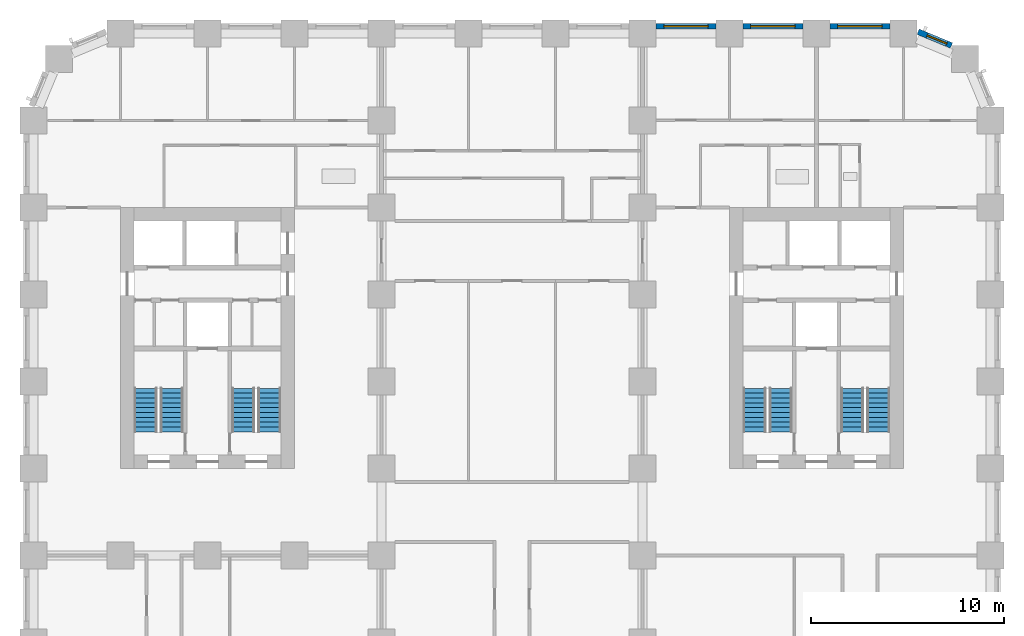
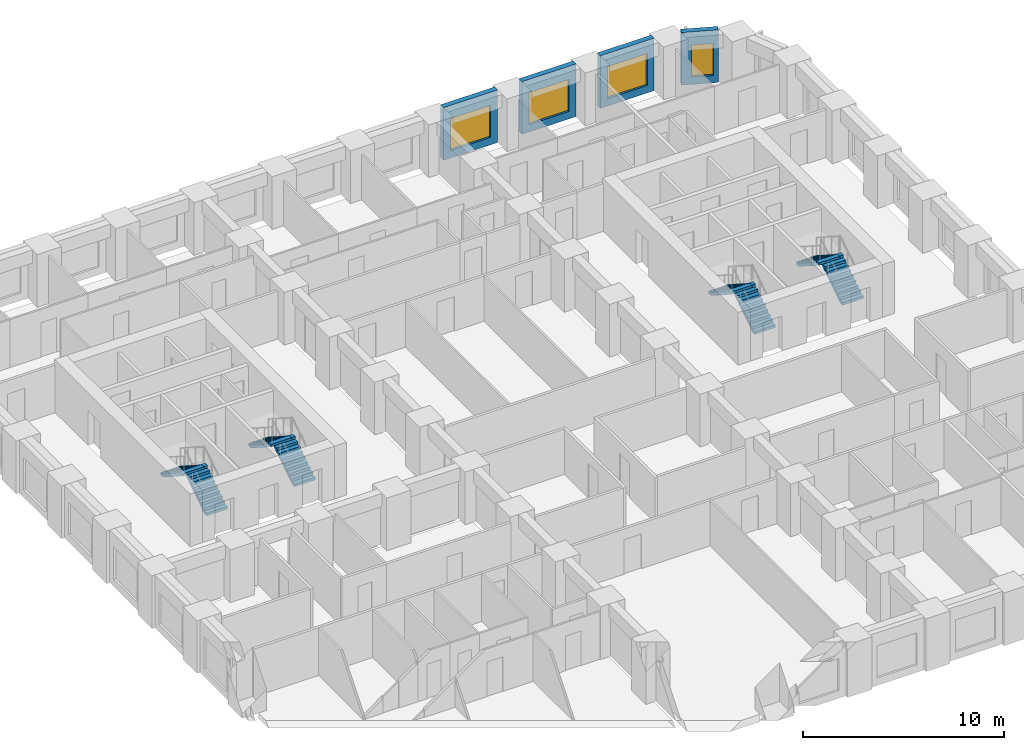
# One storey, part 10 of 13: 8 stair flights, 4 walls, 4 windows, 4 openings, 4 elements without a shape of their own.
"""IFC4 building model written with IfcOpenShell, lengths in metres."""

from ifc_helpers import new_model, si_unit, direction, frame, frame_2d, origin, place, context, subcontext, project, spatial, polyline, rectangle, outline, extrude, material, layer, layer_set, type_object, element, fill, aggregate, save


model = new_model("IFC4")

# Units and contexts
model_context = context("Model", 3, precision=1e-05, world=origin(), true_north=direction((0.0, 1.0)))
body_context = subcontext(model_context, "Body", "Model", "MODEL_VIEW")
ifc_project = project(units=[si_unit("LENGTHUNIT", "METRE"), si_unit("AREAUNIT", "SQUARE_METRE"), si_unit("VOLUMEUNIT", "CUBIC_METRE"), si_unit("PLANEANGLEUNIT", "RADIAN"), si_unit("MASSUNIT", "GRAM", prefix="KILO")], contexts=[model_context])

# Site, building, storey
site_placement = place(None, origin())
site = spatial("IfcSite", under=ifc_project, at=site_placement, CompositionType="ELEMENT")
building_placement = place(site_placement, origin())
building = spatial("IfcBuilding", under=site, at=building_placement, Name="Girih Gate Residences", CompositionType="ELEMENT")
storey_placement = place(building_placement, frame((0.0, 0.0, 46.39990234375)))
storey = spatial("IfcBuildingStorey", under=building, at=storey_placement, Name="L11", CompositionType="ELEMENT", Elevation=46.39990234375)

# Wall, opening, window
ifc_material_1 = material(Name="Precast concrete C50/60", Category="concrete")
ifc_layer_1 = layer(ifc_material_1, 0.080078125, Name="Outer leaf")
ifc_material_2 = material(Name="Rigid PIR insulation")
ifc_layer_2 = layer(ifc_material_2, 0.14990234375, Name="Insulation")
ifc_material_3 = material(Name="Precast concrete C40/50", Category="concrete")
ifc_layer_3 = layer(ifc_material_3, 0.070068359375, Name="Inner leaf")
ifc_layer_set = layer_set([ifc_layer_1, ifc_layer_2, ifc_layer_3], Name="Precast concrete C50/60 external wall 300")
wall_type = type_object("IfcWallType", Name="Precast concrete C50/60 external wall 300", PredefinedType="SOLIDWALL", material=ifc_layer_set)
wall_1_placement = place(storey_placement, frame((45.75732421875, 49.59228515625, 0.0), z_axis=(0.0, 0.0, 1.0), x_axis=(0.923857286003, -0.382737135771, 0.0)))
wall_1 = element("IfcWall", 1, at=wall_1_placement, inside=storey, type_object=wall_type, Name="External wall NE0482_0482.0", PredefinedType="SOLIDWALL", context=body_context, shape_type="SweptSolid", body=[
    extrude(rectangle(XDim=1.865234375, YDim=0.300048828125, at=frame_2d((0.9326171875, 0.0))), origin(), (0.0, 0.0, 1.0), 3.2001953125),
])
opening_1_placement = place(wall_1_placement, frame((0.507568359375, 0.0, 0.449951171875)))
opening_1 = element("IfcOpeningElement", 2, at=opening_1_placement, cuts=wall_1, Name="Opening W-2C", PredefinedType="OPENING", context=body_context, shape_type="SweptSolid", body=[
    extrude(rectangle(XDim=1.10009765625, YDim=1.949951171875, at=frame_2d((0.550048828125, 0.97509765625))), frame((0.0, 0.159912109375, 0.0), z_axis=(0.0, -1.0, 0.0), x_axis=(1.0, 0.0, 0.0)), (0.0, 0.0, 1.0), 0.320068359375),
])
ifc_material_4 = material(Name="Double glazing in aluminium frame", Category="aluminium")
window_type_1 = type_object("IfcWindowType", Name="Window W-2C 1100x1950", PartitioningType="SINGLE_PANEL", PredefinedType="WINDOW", material=ifc_material_4)
window_1_placement = place(opening_1_placement, origin())
window_1 = element("IfcWindow", 3, at=window_1_placement, inside=storey, type_object=window_type_1, Name="Window W-2C NE0482_0482.0", OverallHeight=1.949951171875, OverallWidth=1.10009765625, PartitioningType="SINGLE_PANEL", PredefinedType="WINDOW", context=body_context, shape_type="SweptSolid", body=[
    extrude(rectangle(XDim=1.10009765625, YDim=1.949951171875, at=frame_2d((0.550048828125, 0.97509765625))), frame((0.0, 0.030029296875, 0.0), z_axis=(0.0, -1.0, 0.0), x_axis=(1.0, 0.0, 0.0)), (0.0, 0.0, 1.0), 0.06005859375),
])
fill(opening_1, window_1)

wall_2_placement = place(storey_placement, frame((41.199951171875, 49.875, 0.0), z_axis=(0.0, 0.0, 1.0), x_axis=(1.0, 0.0, 0.0)))
wall_2 = element("IfcWall", 4, at=wall_2_placement, inside=storey, type_object=wall_type, Name="External wall N0450_0495.0", PredefinedType="SOLIDWALL", context=body_context, shape_type="SweptSolid", body=[
    extrude(rectangle(XDim=3.10009765625, YDim=0.300048828125, at=frame_2d((1.550048828125, 0.0))), origin(), (0.0, 0.0, 1.0), 3.2001953125),
])
opening_2_placement = place(wall_2_placement, frame((0.39990234375, 0.0, 0.449951171875)))
opening_2 = element("IfcOpeningElement", 5, at=opening_2_placement, cuts=wall_2, Name="Opening W-1", PredefinedType="OPENING", context=body_context, shape_type="SweptSolid", body=[
    extrude(rectangle(XDim=2.300048828125, YDim=1.949951171875, at=frame_2d((1.14990234375, 0.97509765625))), frame((0.0, 0.159912109375, 0.0), z_axis=(0.0, -1.0, 0.0), x_axis=(1.0, 0.0, 0.0)), (0.0, 0.0, 1.0), 0.320068359375),
])
window_type_2 = type_object("IfcWindowType", Name="Window W-1 2300x1950", PartitioningType="SINGLE_PANEL", PredefinedType="WINDOW", material=ifc_material_4)
window_2_placement = place(opening_2_placement, origin())
window_2 = element("IfcWindow", 6, at=window_2_placement, inside=storey, type_object=window_type_2, Name="Window W-1 N0450_0495.0", OverallHeight=1.949951171875, OverallWidth=2.300048828125, PartitioningType="SINGLE_PANEL", PredefinedType="WINDOW", context=body_context, shape_type="SweptSolid", body=[
    extrude(rectangle(XDim=2.300048828125, YDim=1.949951171875, at=frame_2d((1.14990234375, 0.97509765625))), frame((0.0, 0.030029296875, 0.0), z_axis=(0.0, -1.0, 0.0), x_axis=(1.0, 0.0, 0.0)), (0.0, 0.0, 1.0), 0.06005859375),
])
fill(opening_2, window_2)

wall_3_placement = place(storey_placement, frame((36.699951171875, 49.875, 0.0), z_axis=(0.0, 0.0, 1.0), x_axis=(1.0, 0.0, 0.0)))
wall_3 = element("IfcWall", 7, at=wall_3_placement, inside=storey, type_object=wall_type, Name="External wall N0450_0495.1", PredefinedType="SOLIDWALL", context=body_context, shape_type="SweptSolid", body=[
    extrude(rectangle(XDim=3.10009765625, YDim=0.300048828125, at=frame_2d((1.550048828125, 0.0))), origin(), (0.0, 0.0, 1.0), 3.2001953125),
])
opening_3_placement = place(wall_3_placement, frame((0.39990234375, 0.0, 0.449951171875)))
opening_3 = element("IfcOpeningElement", 8, at=opening_3_placement, cuts=wall_3, Name="Opening W-1", PredefinedType="OPENING", context=body_context, shape_type="SweptSolid", body=[
    extrude(rectangle(XDim=2.300048828125, YDim=1.949951171875, at=frame_2d((1.14990234375, 0.97509765625))), frame((0.0, 0.159912109375, 0.0), z_axis=(0.0, -1.0, 0.0), x_axis=(1.0, 0.0, 0.0)), (0.0, 0.0, 1.0), 0.320068359375),
])
window_3_placement = place(opening_3_placement, origin())
window_3 = element("IfcWindow", 9, at=window_3_placement, inside=storey, type_object=window_type_2, Name="Window W-1 N0450_0495.1", OverallHeight=1.949951171875, OverallWidth=2.300048828125, PartitioningType="SINGLE_PANEL", PredefinedType="WINDOW", context=body_context, shape_type="SweptSolid", body=[
    extrude(rectangle(XDim=2.300048828125, YDim=1.949951171875, at=frame_2d((1.14990234375, 0.97509765625))), frame((0.0, 0.030029296875, 0.0), z_axis=(0.0, -1.0, 0.0), x_axis=(1.0, 0.0, 0.0)), (0.0, 0.0, 1.0), 0.06005859375),
])
fill(opening_3, window_3)

wall_4_placement = place(storey_placement, frame((32.199951171875, 49.875, 0.0), z_axis=(0.0, 0.0, 1.0), x_axis=(1.0, 0.0, 0.0)))
wall_4 = element("IfcWall", 10, at=wall_4_placement, inside=storey, type_object=wall_type, Name="External wall N0450_0495.2", PredefinedType="SOLIDWALL", context=body_context, shape_type="SweptSolid", body=[
    extrude(rectangle(XDim=3.10009765625, YDim=0.300048828125, at=frame_2d((1.550048828125, 0.0))), origin(), (0.0, 0.0, 1.0), 3.2001953125),
])
opening_4_placement = place(wall_4_placement, frame((0.39990234375, 0.0, 0.449951171875)))
opening_4 = element("IfcOpeningElement", 11, at=opening_4_placement, cuts=wall_4, Name="Opening W-1", PredefinedType="OPENING", context=body_context, shape_type="SweptSolid", body=[
    extrude(rectangle(XDim=2.300048828125, YDim=1.949951171875, at=frame_2d((1.14990234375, 0.97509765625))), frame((0.0, 0.159912109375, 0.0), z_axis=(0.0, -1.0, 0.0), x_axis=(1.0, 0.0, 0.0)), (0.0, 0.0, 1.0), 0.320068359375),
])
window_4_placement = place(opening_4_placement, origin())
window_4 = element("IfcWindow", 12, at=window_4_placement, inside=storey, type_object=window_type_2, Name="Window W-1 N0450_0495.2", OverallHeight=1.949951171875, OverallWidth=2.300048828125, PartitioningType="SINGLE_PANEL", PredefinedType="WINDOW", context=body_context, shape_type="SweptSolid", body=[
    extrude(rectangle(XDim=2.300048828125, YDim=1.949951171875, at=frame_2d((1.14990234375, 0.97509765625))), frame((0.0, 0.030029296875, 0.0), z_axis=(0.0, -1.0, 0.0), x_axis=(1.0, 0.0, 0.0)), (0.0, 0.0, 1.0), 0.06005859375),
])
fill(opening_4, window_4)

# Stair, stair flights
ifc_material_5 = material(Name="Concrete C40/50", Category="concrete")
stair_type = type_object("IfcStairType", Name="Exit stair", PredefinedType="HALF_TURN_STAIR", material=ifc_material_5)
stair_1_placement = place(storey_placement, origin())
stair_1 = element("IfcStair", 13, at=stair_1_placement, inside=storey, type_object=stair_type, Name="L11 Exit Stair ST-W1", PredefinedType="HALF_TURN_STAIR")
stair_flight_type = type_object("IfcStairFlightType", Name="Stair flight 1200", PredefinedType="STRAIGHT", material=ifc_material_5)
stair_flight_1_placement = place(storey_placement, frame((7.14990234375, 28.89990234375, 0.0), z_axis=(0.0, 0.0, 1.0), x_axis=(0.0, 1.0, 0.0)))
stair_flight_1 = element("IfcStairFlight", 14, at=stair_flight_1_placement, type_object=stair_flight_type, Name="ST-W1 flight 1", NumberOfRisers=10, NumberOfTreads=9, PredefinedType="STRAIGHT", RiserHeight=0.16, TreadLength=0.25, context=body_context, shape_type="SweptSolid", body=[
    extrude(outline(polyline([(0.0, 0.0), (0.0, 0.159912109375), (0.25, 0.159912109375), (0.25, 0.320068359375), (0.5, 0.320068359375), (0.5, 0.47998046875), (0.75, 0.47998046875), (0.75, 0.639892578125), (1.0, 0.639892578125), (1.0, 0.800048828125), (1.25, 0.800048828125), (1.25, 0.9599609375), (1.5, 0.9599609375), (1.5, 1.1201171875), (1.75, 1.1201171875), (1.75, 1.280029296875), (2.0, 1.280029296875), (2.0, 1.43994140625), (2.25, 1.43994140625), (2.25, 1.60009765625), (2.25, 1.29736328125), (0.222900390625, 0.0), (0.0, 0.0)])), frame((0.0, 0.60009765625, 0.0), z_axis=(0.0, -1.0, 0.0), x_axis=(1.0, 0.0, 0.0)), (0.0, 0.0, 1.0), 1.199951171875),
])
stair_flight_2_placement = place(storey_placement, frame((5.800048828125, 31.14990234375, 1.60009765625), z_axis=(0.0, 0.0, 1.0), x_axis=(0.0, -1.0, 0.0)))
stair_flight_2 = element("IfcStairFlight", 15, at=stair_flight_2_placement, type_object=stair_flight_type, Name="ST-W1 flight 2", NumberOfRisers=10, NumberOfTreads=9, PredefinedType="STRAIGHT", RiserHeight=0.16, TreadLength=0.25, context=body_context, shape_type="SweptSolid", body=[
    extrude(outline(polyline([(0.0, 0.0), (0.0, 0.159912109375), (0.25, 0.159912109375), (0.25, 0.320068359375), (0.5, 0.320068359375), (0.5, 0.47998046875), (0.75, 0.47998046875), (0.75, 0.639892578125), (1.0, 0.639892578125), (1.0, 0.800048828125), (1.25, 0.800048828125), (1.25, 0.9599609375), (1.5, 0.9599609375), (1.5, 1.1201171875), (1.75, 1.1201171875), (1.75, 1.280029296875), (2.0, 1.280029296875), (2.0, 1.43994140625), (2.25, 1.43994140625), (2.25, 1.60009765625), (2.25, 1.29736328125), (0.222900390625, 0.0), (0.0, 0.0)])), frame((0.0, 0.60009765625, 0.0), z_axis=(0.0, -1.0, 0.0), x_axis=(1.0, 0.0, 0.0)), (0.0, 0.0, 1.0), 1.199951171875),
])
aggregate(stair_1, [stair_flight_1, stair_flight_2])

stair_2_placement = place(storey_placement, origin())
stair_2 = element("IfcStair", 16, at=stair_2_placement, inside=storey, type_object=stair_type, Name="L11 Exit Stair ST-W2", PredefinedType="HALF_TURN_STAIR")
stair_flight_3_placement = place(storey_placement, frame((12.199951171875, 28.89990234375, 0.0), z_axis=(0.0, 0.0, 1.0), x_axis=(0.0, 1.0, 0.0)))
stair_flight_3 = element("IfcStairFlight", 17, at=stair_flight_3_placement, type_object=stair_flight_type, Name="ST-W2 flight 1", NumberOfRisers=10, NumberOfTreads=9, PredefinedType="STRAIGHT", RiserHeight=0.16, TreadLength=0.25, context=body_context, shape_type="SweptSolid", body=[
    extrude(outline(polyline([(0.0, 0.0), (0.0, 0.159912109375), (0.25, 0.159912109375), (0.25, 0.320068359375), (0.5, 0.320068359375), (0.5, 0.47998046875), (0.75, 0.47998046875), (0.75, 0.639892578125), (1.0, 0.639892578125), (1.0, 0.800048828125), (1.25, 0.800048828125), (1.25, 0.9599609375), (1.5, 0.9599609375), (1.5, 1.1201171875), (1.75, 1.1201171875), (1.75, 1.280029296875), (2.0, 1.280029296875), (2.0, 1.43994140625), (2.25, 1.43994140625), (2.25, 1.60009765625), (2.25, 1.29736328125), (0.222900390625, 0.0), (0.0, 0.0)])), frame((0.0, 0.60009765625, 0.0), z_axis=(0.0, -1.0, 0.0), x_axis=(1.0, 0.0, 0.0)), (0.0, 0.0, 1.0), 1.199951171875),
])
stair_flight_4_placement = place(storey_placement, frame((10.85009765625, 31.14990234375, 1.60009765625), z_axis=(0.0, 0.0, 1.0), x_axis=(0.0, -1.0, 0.0)))
stair_flight_4 = element("IfcStairFlight", 18, at=stair_flight_4_placement, type_object=stair_flight_type, Name="ST-W2 flight 2", NumberOfRisers=10, NumberOfTreads=9, PredefinedType="STRAIGHT", RiserHeight=0.16, TreadLength=0.25, context=body_context, shape_type="SweptSolid", body=[
    extrude(outline(polyline([(0.0, 0.0), (0.0, 0.159912109375), (0.25, 0.159912109375), (0.25, 0.320068359375), (0.5, 0.320068359375), (0.5, 0.47998046875), (0.75, 0.47998046875), (0.75, 0.639892578125), (1.0, 0.639892578125), (1.0, 0.800048828125), (1.25, 0.800048828125), (1.25, 0.9599609375), (1.5, 0.9599609375), (1.5, 1.1201171875), (1.75, 1.1201171875), (1.75, 1.280029296875), (2.0, 1.280029296875), (2.0, 1.43994140625), (2.25, 1.43994140625), (2.25, 1.60009765625), (2.25, 1.29736328125), (0.222900390625, 0.0), (0.0, 0.0)])), frame((0.0, 0.60009765625, 0.0), z_axis=(0.0, -1.0, 0.0), x_axis=(1.0, 0.0, 0.0)), (0.0, 0.0, 1.0), 1.199951171875),
])
aggregate(stair_2, [stair_flight_3, stair_flight_4])

stair_3_placement = place(storey_placement, origin())
stair_3 = element("IfcStair", 19, at=stair_3_placement, inside=storey, type_object=stair_type, Name="L11 Exit Stair ST-E1", PredefinedType="HALF_TURN_STAIR")
stair_flight_5_placement = place(storey_placement, frame((43.699951171875, 28.89990234375, 0.0), z_axis=(0.0, 0.0, 1.0), x_axis=(0.0, 1.0, 0.0)))
stair_flight_5 = element("IfcStairFlight", 20, at=stair_flight_5_placement, type_object=stair_flight_type, Name="ST-E1 flight 1", NumberOfRisers=10, NumberOfTreads=9, PredefinedType="STRAIGHT", RiserHeight=0.16, TreadLength=0.25, context=body_context, shape_type="SweptSolid", body=[
    extrude(outline(polyline([(0.0, 0.0), (0.0, 0.159912109375), (0.25, 0.159912109375), (0.25, 0.320068359375), (0.5, 0.320068359375), (0.5, 0.47998046875), (0.75, 0.47998046875), (0.75, 0.639892578125), (1.0, 0.639892578125), (1.0, 0.800048828125), (1.25, 0.800048828125), (1.25, 0.9599609375), (1.5, 0.9599609375), (1.5, 1.1201171875), (1.75, 1.1201171875), (1.75, 1.280029296875), (2.0, 1.280029296875), (2.0, 1.43994140625), (2.25, 1.43994140625), (2.25, 1.60009765625), (2.25, 1.29736328125), (0.222900390625, 0.0), (0.0, 0.0)])), frame((0.0, 0.60009765625, 0.0), z_axis=(0.0, -1.0, 0.0), x_axis=(1.0, 0.0, 0.0)), (0.0, 0.0, 1.0), 1.199951171875),
])
stair_flight_6_placement = place(storey_placement, frame((42.35009765625, 31.14990234375, 1.60009765625), z_axis=(0.0, 0.0, 1.0), x_axis=(0.0, -1.0, 0.0)))
stair_flight_6 = element("IfcStairFlight", 21, at=stair_flight_6_placement, type_object=stair_flight_type, Name="ST-E1 flight 2", NumberOfRisers=10, NumberOfTreads=9, PredefinedType="STRAIGHT", RiserHeight=0.16, TreadLength=0.25, context=body_context, shape_type="SweptSolid", body=[
    extrude(outline(polyline([(0.0, 0.0), (0.0, 0.159912109375), (0.25, 0.159912109375), (0.25, 0.320068359375), (0.5, 0.320068359375), (0.5, 0.47998046875), (0.75, 0.47998046875), (0.75, 0.639892578125), (1.0, 0.639892578125), (1.0, 0.800048828125), (1.25, 0.800048828125), (1.25, 0.9599609375), (1.5, 0.9599609375), (1.5, 1.1201171875), (1.75, 1.1201171875), (1.75, 1.280029296875), (2.0, 1.280029296875), (2.0, 1.43994140625), (2.25, 1.43994140625), (2.25, 1.60009765625), (2.25, 1.29736328125), (0.222900390625, 0.0), (0.0, 0.0)])), frame((0.0, 0.60009765625, 0.0), z_axis=(0.0, -1.0, 0.0), x_axis=(1.0, 0.0, 0.0)), (0.0, 0.0, 1.0), 1.199951171875),
])
aggregate(stair_3, [stair_flight_5, stair_flight_6])

stair_4_placement = place(storey_placement, origin())
stair_4 = element("IfcStair", 22, at=stair_4_placement, inside=storey, type_object=stair_type, Name="L11 Exit Stair ST-E2", PredefinedType="HALF_TURN_STAIR")
stair_flight_7_placement = place(storey_placement, frame((38.64990234375, 28.89990234375, 0.0), z_axis=(0.0, 0.0, 1.0), x_axis=(0.0, 1.0, 0.0)))
stair_flight_7 = element("IfcStairFlight", 23, at=stair_flight_7_placement, type_object=stair_flight_type, Name="ST-E2 flight 1", NumberOfRisers=10, NumberOfTreads=9, PredefinedType="STRAIGHT", RiserHeight=0.16, TreadLength=0.25, context=body_context, shape_type="SweptSolid", body=[
    extrude(outline(polyline([(0.0, 0.0), (0.0, 0.159912109375), (0.25, 0.159912109375), (0.25, 0.320068359375), (0.5, 0.320068359375), (0.5, 0.47998046875), (0.75, 0.47998046875), (0.75, 0.639892578125), (1.0, 0.639892578125), (1.0, 0.800048828125), (1.25, 0.800048828125), (1.25, 0.9599609375), (1.5, 0.9599609375), (1.5, 1.1201171875), (1.75, 1.1201171875), (1.75, 1.280029296875), (2.0, 1.280029296875), (2.0, 1.43994140625), (2.25, 1.43994140625), (2.25, 1.60009765625), (2.25, 1.29736328125), (0.222900390625, 0.0), (0.0, 0.0)])), frame((0.0, 0.60009765625, 0.0), z_axis=(0.0, -1.0, 0.0), x_axis=(1.0, 0.0, 0.0)), (0.0, 0.0, 1.0), 1.199951171875),
])
stair_flight_8_placement = place(storey_placement, frame((37.300048828125, 31.14990234375, 1.60009765625), z_axis=(0.0, 0.0, 1.0), x_axis=(0.0, -1.0, 0.0)))
stair_flight_8 = element("IfcStairFlight", 24, at=stair_flight_8_placement, type_object=stair_flight_type, Name="ST-E2 flight 2", NumberOfRisers=10, NumberOfTreads=9, PredefinedType="STRAIGHT", RiserHeight=0.16, TreadLength=0.25, context=body_context, shape_type="SweptSolid", body=[
    extrude(outline(polyline([(0.0, 0.0), (0.0, 0.159912109375), (0.25, 0.159912109375), (0.25, 0.320068359375), (0.5, 0.320068359375), (0.5, 0.47998046875), (0.75, 0.47998046875), (0.75, 0.639892578125), (1.0, 0.639892578125), (1.0, 0.800048828125), (1.25, 0.800048828125), (1.25, 0.9599609375), (1.5, 0.9599609375), (1.5, 1.1201171875), (1.75, 1.1201171875), (1.75, 1.280029296875), (2.0, 1.280029296875), (2.0, 1.43994140625), (2.25, 1.43994140625), (2.25, 1.60009765625), (2.25, 1.29736328125), (0.222900390625, 0.0), (0.0, 0.0)])), frame((0.0, 0.60009765625, 0.0), z_axis=(0.0, -1.0, 0.0), x_axis=(1.0, 0.0, 0.0)), (0.0, 0.0, 1.0), 1.199951171875),
])
aggregate(stair_4, [stair_flight_7, stair_flight_8])

save(model, "model.ifc")
